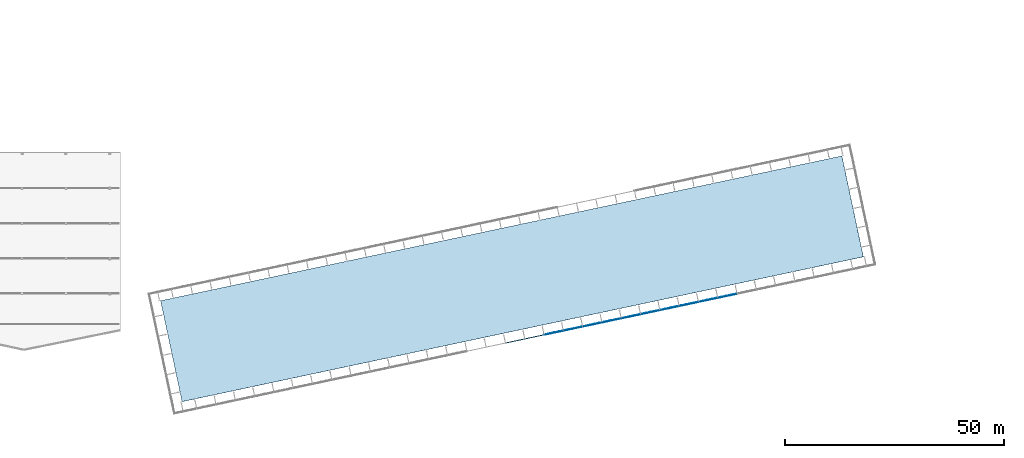
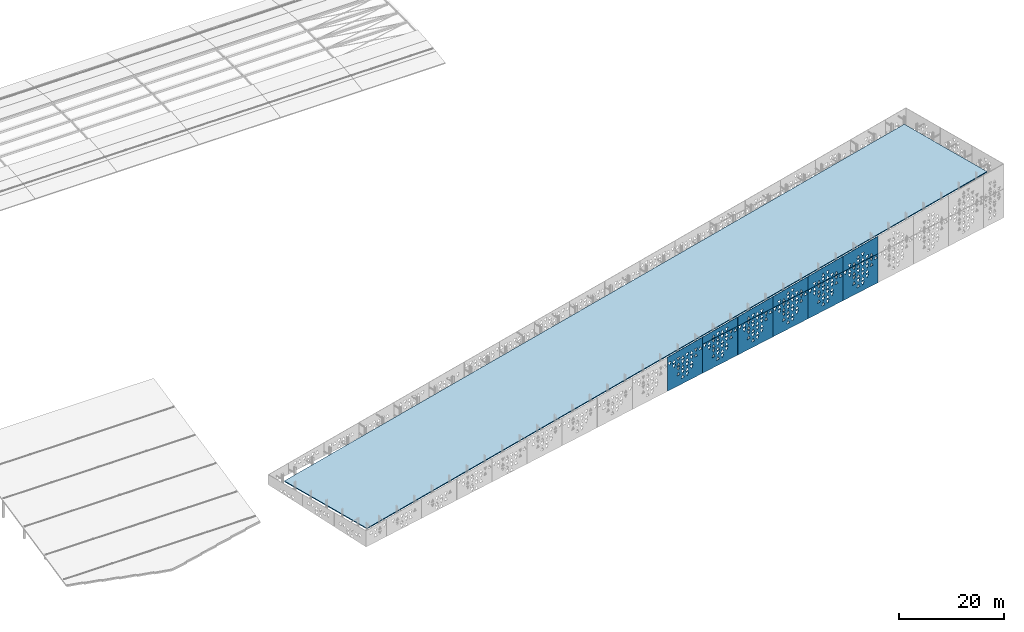
# One storey, part 25 of 41: 11 plates, 1 slab.
"""IFC4 building model written with IfcOpenShell, lengths in metres."""

from ifc_helpers import new_model, si_unit, direction, frame, origin, place, context, subcontext, project, spatial, polyline, outline, extrude, material, layer, layer_set, type_object, element, save


model = new_model("IFC4")

# Units and contexts
model_context = context("Model", 3, precision=1e-05, world=origin(), true_north=direction((0.0, 1.0)))
body_context = subcontext(model_context, "Body", "Model", "MODEL_VIEW")
ifc_project = project(units=[si_unit("LENGTHUNIT", "METRE"), si_unit("AREAUNIT", "SQUARE_METRE"), si_unit("VOLUMEUNIT", "CUBIC_METRE"), si_unit("PLANEANGLEUNIT", "RADIAN"), si_unit("MASSUNIT", "GRAM", prefix="KILO")], contexts=[model_context])

# Site, building, storey
site_placement = place(None, origin())
site = spatial("IfcSite", under=ifc_project, at=site_placement, CompositionType="ELEMENT")
building_placement = place(site_placement, origin())
building = spatial("IfcBuilding", under=site, at=building_placement, Name="Okhra Congress Centre", CompositionType="ELEMENT")
storey_placement = place(building_placement, frame((0.0, 0.0, 21.60009765625)))
storey = spatial("IfcBuildingStorey", under=building, at=storey_placement, Name="ROOF", CompositionType="ELEMENT", Elevation=21.60009765625)

# Slab
ifc_material_1 = material(Name="Insulated metal roof panel (mineral wool core), standing seam")
ifc_layer_1 = layer(ifc_material_1, 0.199951171875)
ifc_layer_set_1 = layer_set([ifc_layer_1], Name="Insulated roof panel 200")
slab_type = type_object("IfcSlabType", Name="Insulated roof panel 200", PredefinedType="ROOF", material=ifc_layer_set_1)
slab_placement = place(storey_placement, frame((62.480224609375, 27.3515625, 2.291015625), z_axis=(-0.063054790388, 0.040023302366, 0.997207214513), x_axis=(0.976750581341, 0.207614271144, 0.053428609062)))
element("IfcSlab", 1, at=slab_placement, inside=storey, type_object=slab_type, Name="Roof deck", PredefinedType="ROOF", context=body_context, shape_type="SweptSolid", body=[
    extrude(outline(polyline([(0.0, 0.0), (159.12735282075477, 1.3322676295501878e-15), (159.0614872928404, 23.582230180782588), (-0.0658655279143475, 23.582230180782584), (0.0, 0.0)])), origin(), (0.0, 0.0, -1.0), 0.199951171875),
])

# Plates
ifc_material_2 = material(Name="Fired clay terracotta rainscreen panel, deep oxide-red glaze, non-combustible", Category="masonry")
ifc_layer_2 = layer(ifc_material_2, 0.080078125)
ifc_layer_set_2 = layer_set([ifc_layer_2], Name="Terracotta screen panel 8980 sloped top")
plate_type_1 = type_object("IfcPlateType", Name="Terracotta screen panel 8980 sloped top", PredefinedType="SHEET", material=ifc_layer_set_2)
plate_1_placement = place(storey_placement, frame((136.27001953125, 40.73583984375, 0.2099609375), z_axis=(0.0, 0.0, 1.0), x_axis=(0.978150766104, 0.207896798366, 0.0)))
element("IfcPlate", 2, at=plate_1_placement, inside=storey, type_object=plate_type_1, Name="Screen panel S10 Parapet", PredefinedType="SHEET", context=body_context, shape_type="SweptSolid", body=[
    extrude(outline(polyline([(0.0, 0.0), (8.97998046875, 0.0), (8.97998046875, 8.39013671875), (0.0, 7.90966796875), (0.0, 0.0)]), holes=[polyline([(3.536376953125, 1.303955078125), (4.3037109375, 1.303955078125), (3.919921875, 2.05615234375), (3.536376953125, 1.303955078125)]), polyline([(4.656494140625, 2.05615234375), (5.0400390625, 1.303955078125), (5.423583984375, 2.05615234375), (4.656494140625, 2.05615234375)]), polyline([(2.41650390625, 2.423828125), (3.18359375, 2.423828125), (2.800048828125, 3.176025390625), (2.41650390625, 2.423828125)]), polyline([(3.536376953125, 3.176025390625), (3.919921875, 2.423828125), (4.3037109375, 3.176025390625), (3.536376953125, 3.176025390625)]), polyline([(4.656494140625, 2.423828125), (5.423583984375, 2.423828125), (5.0400390625, 3.176025390625), (4.656494140625, 2.423828125)]), polyline([(5.7763671875, 3.176025390625), (6.159912109375, 2.423828125), (6.543701171875, 3.176025390625), (5.7763671875, 3.176025390625)]), polyline([(2.41650390625, 4.296142578125), (2.800048828125, 3.5439453125), (3.18359375, 4.296142578125), (2.41650390625, 4.296142578125)]), polyline([(3.536376953125, 3.5439453125), (4.3037109375, 3.5439453125), (3.919921875, 4.296142578125), (3.536376953125, 3.5439453125)]), polyline([(4.656494140625, 4.296142578125), (5.0400390625, 3.5439453125), (5.423583984375, 4.296142578125), (4.656494140625, 4.296142578125)]), polyline([(5.7763671875, 3.5439453125), (6.543701171875, 3.5439453125), (6.159912109375, 4.296142578125), (5.7763671875, 3.5439453125)]), polyline([(1.29638671875, 5.416015625), (1.679931640625, 4.663818359375), (2.0634765625, 5.416015625), (1.29638671875, 5.416015625)]), polyline([(2.41650390625, 4.663818359375), (3.18359375, 4.663818359375), (2.800048828125, 5.416015625), (2.41650390625, 4.663818359375)]), polyline([(3.536376953125, 5.416015625), (3.919921875, 4.663818359375), (4.3037109375, 5.416015625), (3.536376953125, 5.416015625)]), polyline([(4.656494140625, 4.663818359375), (5.423583984375, 4.663818359375), (5.0400390625, 5.416015625), (4.656494140625, 4.663818359375)]), polyline([(5.7763671875, 5.416015625), (6.159912109375, 4.663818359375), (6.543701171875, 5.416015625), (5.7763671875, 5.416015625)]), polyline([(6.896484375, 4.663818359375), (7.66357421875, 4.663818359375), (7.280029296875, 5.416015625), (6.896484375, 4.663818359375)]), polyline([(0.176513671875, 6.5361328125), (0.56005859375, 5.783935546875), (0.943603515625, 6.5361328125), (0.176513671875, 6.5361328125)]), polyline([(1.29638671875, 5.783935546875), (2.0634765625, 5.783935546875), (1.679931640625, 6.5361328125), (1.29638671875, 5.783935546875)]), polyline([(2.41650390625, 6.5361328125), (2.800048828125, 5.783935546875), (3.18359375, 6.5361328125), (2.41650390625, 6.5361328125)]), polyline([(3.536376953125, 5.783935546875), (4.3037109375, 5.783935546875), (3.919921875, 6.5361328125), (3.536376953125, 5.783935546875)]), polyline([(4.656494140625, 6.5361328125), (5.0400390625, 5.783935546875), (5.423583984375, 6.5361328125), (4.656494140625, 6.5361328125)]), polyline([(5.7763671875, 5.783935546875), (6.543701171875, 5.783935546875), (6.159912109375, 6.5361328125), (5.7763671875, 5.783935546875)]), polyline([(6.896484375, 6.5361328125), (7.280029296875, 5.783935546875), (7.66357421875, 6.5361328125), (6.896484375, 6.5361328125)]), polyline([(8.016357421875, 5.783935546875), (8.78369140625, 5.783935546875), (8.39990234375, 6.5361328125), (8.016357421875, 5.783935546875)])]), frame((0.0, 0.0400390625, 0.0), z_axis=(0.0, -1.0, 0.0), x_axis=(1.0, 0.0, 0.0)), (0.0, 0.0, 1.0), 0.080078125),
])
plate_2_placement = place(storey_placement, frame((145.073486328125, 42.60693359375, 6.949951171875), z_axis=(0.0, 0.0, 1.0), x_axis=(0.978144061878, 0.207928339131, 0.0)))
element("IfcPlate", 3, at=plate_2_placement, inside=storey, type_object=plate_type_1, Name="Screen panel S11 Parapet", PredefinedType="SHEET", context=body_context, shape_type="SweptSolid", body=[
    extrude(outline(polyline([(0.0, 0.0), (8.97998046875, 0.0), (8.97998046875, 2.1318359375), (0.0, 1.6513671875), (0.0, 0.0)]), holes=[polyline([(2.41650390625, 0.183837890625), (3.18359375, 0.183837890625), (2.800048828125, 0.93603515625), (2.41650390625, 0.183837890625)]), polyline([(3.536376953125, 0.93603515625), (3.919921875, 0.183837890625), (4.3037109375, 0.93603515625), (3.536376953125, 0.93603515625)]), polyline([(4.656494140625, 0.183837890625), (5.423583984375, 0.183837890625), (5.0400390625, 0.93603515625), (4.656494140625, 0.183837890625)]), polyline([(5.7763671875, 0.93603515625), (6.159912109375, 0.183837890625), (6.543701171875, 0.93603515625), (5.7763671875, 0.93603515625)])]), frame((0.0, 0.0400390625, 0.0), z_axis=(0.0, -1.0, 0.0), x_axis=(1.0, 0.0, 0.0)), (0.0, 0.0, 1.0), 0.080078125),
])
plate_3_placement = place(storey_placement, frame((153.876708984375, 44.478271484375, 6.949951171875), z_axis=(0.0, 0.0, 1.0), x_axis=(0.978149591018, 0.207902327047, 0.0)))
element("IfcPlate", 4, at=plate_3_placement, inside=storey, type_object=plate_type_1, Name="Screen panel S12 Parapet", PredefinedType="SHEET", context=body_context, shape_type="SweptSolid", body=[
    extrude(outline(polyline([(0.0, 0.0), (8.97998046875, 0.0), (8.97998046875, 2.61328125), (0.0, 2.1328125), (0.0, 0.0)]), holes=[polyline([(2.41650390625, 0.183837890625), (3.18359375, 0.183837890625), (2.800048828125, 0.93603515625), (2.41650390625, 0.183837890625)]), polyline([(3.536376953125, 0.93603515625), (3.919921875, 0.183837890625), (4.3037109375, 0.93603515625), (3.536376953125, 0.93603515625)]), polyline([(4.656494140625, 0.183837890625), (5.423583984375, 0.183837890625), (5.0400390625, 0.93603515625), (4.656494140625, 0.183837890625)]), polyline([(5.7763671875, 0.93603515625), (6.159912109375, 0.183837890625), (6.543701171875, 0.93603515625), (5.7763671875, 0.93603515625)])]), frame((0.0, 0.0400390625, 0.0), z_axis=(0.0, -1.0, 0.0), x_axis=(1.0, 0.0, 0.0)), (0.0, 0.0, 1.0), 0.080078125),
])
plate_4_placement = place(storey_placement, frame((162.68017578125, 46.349365234375, 6.949951171875), z_axis=(0.0, 0.0, 1.0), x_axis=(0.978144061878, 0.207928339131, 0.0)))
element("IfcPlate", 5, at=plate_4_placement, inside=storey, type_object=plate_type_1, Name="Screen panel S13 Parapet", PredefinedType="SHEET", context=body_context, shape_type="SweptSolid", body=[
    extrude(outline(polyline([(0.0, 0.0), (8.97998046875, 0.0), (8.97998046875, 3.094970703125), (0.0, 2.614501953125), (0.0, 0.0)]), holes=[polyline([(1.29638671875, 0.93603515625), (1.679931640625, 0.183837890625), (2.0634765625, 0.93603515625), (1.29638671875, 0.93603515625)]), polyline([(2.41650390625, 0.183837890625), (3.18359375, 0.183837890625), (2.800048828125, 0.93603515625), (2.41650390625, 0.183837890625)]), polyline([(3.536376953125, 0.93603515625), (3.919921875, 0.183837890625), (4.3037109375, 0.93603515625), (3.536376953125, 0.93603515625)]), polyline([(4.656494140625, 0.183837890625), (5.423583984375, 0.183837890625), (5.0400390625, 0.93603515625), (4.656494140625, 0.183837890625)]), polyline([(5.7763671875, 0.93603515625), (6.159912109375, 0.183837890625), (6.543701171875, 0.93603515625), (5.7763671875, 0.93603515625)]), polyline([(6.896484375, 0.183837890625), (7.66357421875, 0.183837890625), (7.280029296875, 0.93603515625), (6.896484375, 0.183837890625)]), polyline([(3.536376953125, 1.303955078125), (4.3037109375, 1.303955078125), (3.919921875, 2.05615234375), (3.536376953125, 1.303955078125)]), polyline([(4.656494140625, 2.05615234375), (5.0400390625, 1.303955078125), (5.423583984375, 2.05615234375), (4.656494140625, 2.05615234375)])]), frame((0.0, 0.0400390625, 0.0), z_axis=(0.0, -1.0, 0.0), x_axis=(1.0, 0.0, 0.0)), (0.0, 0.0, 1.0), 0.080078125),
])
plate_5_placement = place(storey_placement, frame((171.4833984375, 48.220703125, 6.949951171875), z_axis=(0.0, 0.0, 1.0), x_axis=(0.978149591018, 0.207902327047, 0.0)))
element("IfcPlate", 6, at=plate_5_placement, inside=storey, type_object=plate_type_1, Name="Screen panel S14 Parapet", PredefinedType="SHEET", context=body_context, shape_type="SweptSolid", body=[
    extrude(outline(polyline([(0.0, 0.0), (8.97998046875, 0.0), (8.97998046875, 3.576416015625), (0.0, 3.095947265625), (0.0, 0.0)]), holes=[polyline([(1.29638671875, 0.93603515625), (1.679931640625, 0.183837890625), (2.0634765625, 0.93603515625), (1.29638671875, 0.93603515625)]), polyline([(2.41650390625, 0.183837890625), (3.18359375, 0.183837890625), (2.800048828125, 0.93603515625), (2.41650390625, 0.183837890625)]), polyline([(3.536376953125, 0.93603515625), (3.919921875, 0.183837890625), (4.3037109375, 0.93603515625), (3.536376953125, 0.93603515625)]), polyline([(4.656494140625, 0.183837890625), (5.423583984375, 0.183837890625), (5.0400390625, 0.93603515625), (4.656494140625, 0.183837890625)]), polyline([(5.7763671875, 0.93603515625), (6.159912109375, 0.183837890625), (6.543701171875, 0.93603515625), (5.7763671875, 0.93603515625)]), polyline([(6.896484375, 0.183837890625), (7.66357421875, 0.183837890625), (7.280029296875, 0.93603515625), (6.896484375, 0.183837890625)]), polyline([(3.536376953125, 1.303955078125), (4.3037109375, 1.303955078125), (3.919921875, 2.05615234375), (3.536376953125, 1.303955078125)]), polyline([(4.656494140625, 2.05615234375), (5.0400390625, 1.303955078125), (5.423583984375, 2.05615234375), (4.656494140625, 2.05615234375)])]), frame((0.0, 0.0400390625, 0.0), z_axis=(0.0, -1.0, 0.0), x_axis=(1.0, 0.0, 0.0)), (0.0, 0.0, 1.0), 0.080078125),
])
plate_6_placement = place(storey_placement, frame((180.28662109375, 50.091796875, 6.949951171875), z_axis=(0.0, 0.0, 1.0), x_axis=(0.978145237251, 0.207922809819, 0.0)))
element("IfcPlate", 7, at=plate_6_placement, inside=storey, type_object=plate_type_1, Name="Screen panel S15 Parapet", PredefinedType="SHEET", context=body_context, shape_type="SweptSolid", body=[
    extrude(outline(polyline([(0.0, 0.0), (8.97998046875, 0.0), (8.97998046875, 4.057861328125), (0.0, 3.577392578125), (0.0, 0.0)]), holes=[polyline([(1.29638671875, 0.93603515625), (1.679931640625, 0.183837890625), (2.0634765625, 0.93603515625), (1.29638671875, 0.93603515625)]), polyline([(2.41650390625, 0.183837890625), (3.18359375, 0.183837890625), (2.800048828125, 0.93603515625), (2.41650390625, 0.183837890625)]), polyline([(3.536376953125, 0.93603515625), (3.919921875, 0.183837890625), (4.3037109375, 0.93603515625), (3.536376953125, 0.93603515625)]), polyline([(4.656494140625, 0.183837890625), (5.423583984375, 0.183837890625), (5.0400390625, 0.93603515625), (4.656494140625, 0.183837890625)]), polyline([(5.7763671875, 0.93603515625), (6.159912109375, 0.183837890625), (6.543701171875, 0.93603515625), (5.7763671875, 0.93603515625)]), polyline([(6.896484375, 0.183837890625), (7.66357421875, 0.183837890625), (7.280029296875, 0.93603515625), (6.896484375, 0.183837890625)]), polyline([(3.536376953125, 1.303955078125), (4.3037109375, 1.303955078125), (3.919921875, 2.05615234375), (3.536376953125, 1.303955078125)]), polyline([(4.656494140625, 2.05615234375), (5.0400390625, 1.303955078125), (5.423583984375, 2.05615234375), (4.656494140625, 2.05615234375)])]), frame((0.0, 0.0400390625, 0.0), z_axis=(0.0, -1.0, 0.0), x_axis=(1.0, 0.0, 0.0)), (0.0, 0.0, 1.0), 0.080078125),
])
ifc_layer_3 = layer(ifc_material_2, 0.080078125)
ifc_layer_set_3 = layer_set([ifc_layer_3], Name="Terracotta screen panel 8980x6720")
plate_type_2 = type_object("IfcPlateType", Name="Terracotta screen panel 8980x6720", PredefinedType="SHEET", material=ifc_layer_set_3)
plate_7_placement = place(storey_placement, frame((145.073486328125, 42.60693359375, 0.2099609375), z_axis=(0.0, 0.0, 1.0), x_axis=(0.978144061878, 0.207928339131, 0.0)))
element("IfcPlate", 8, at=plate_7_placement, inside=storey, type_object=plate_type_2, Name="Screen panel S11 Tier 3", PredefinedType="SHEET", context=body_context, shape_type="SweptSolid", body=[
    extrude(outline(polyline([(0.0, 0.0), (8.97998046875, 0.0), (8.97998046875, 6.719970703125), (0.0, 6.719970703125), (0.0, 0.0)]), holes=[polyline([(3.536376953125, 1.303955078125), (4.3037109375, 1.303955078125), (3.919921875, 2.05615234375), (3.536376953125, 1.303955078125)]), polyline([(4.656494140625, 2.05615234375), (5.0400390625, 1.303955078125), (5.423583984375, 2.05615234375), (4.656494140625, 2.05615234375)]), polyline([(2.41650390625, 2.423828125), (3.18359375, 2.423828125), (2.800048828125, 3.176025390625), (2.41650390625, 2.423828125)]), polyline([(3.536376953125, 3.176025390625), (3.919921875, 2.423828125), (4.3037109375, 3.176025390625), (3.536376953125, 3.176025390625)]), polyline([(4.656494140625, 2.423828125), (5.423583984375, 2.423828125), (5.0400390625, 3.176025390625), (4.656494140625, 2.423828125)]), polyline([(5.7763671875, 3.176025390625), (6.159912109375, 2.423828125), (6.543701171875, 3.176025390625), (5.7763671875, 3.176025390625)]), polyline([(2.41650390625, 4.296142578125), (2.800048828125, 3.5439453125), (3.18359375, 4.296142578125), (2.41650390625, 4.296142578125)]), polyline([(3.536376953125, 3.5439453125), (4.3037109375, 3.5439453125), (3.919921875, 4.296142578125), (3.536376953125, 3.5439453125)]), polyline([(4.656494140625, 4.296142578125), (5.0400390625, 3.5439453125), (5.423583984375, 4.296142578125), (4.656494140625, 4.296142578125)]), polyline([(5.7763671875, 3.5439453125), (6.543701171875, 3.5439453125), (6.159912109375, 4.296142578125), (5.7763671875, 3.5439453125)]), polyline([(1.29638671875, 5.416015625), (1.679931640625, 4.663818359375), (2.0634765625, 5.416015625), (1.29638671875, 5.416015625)]), polyline([(2.41650390625, 4.663818359375), (3.18359375, 4.663818359375), (2.800048828125, 5.416015625), (2.41650390625, 4.663818359375)]), polyline([(3.536376953125, 5.416015625), (3.919921875, 4.663818359375), (4.3037109375, 5.416015625), (3.536376953125, 5.416015625)]), polyline([(4.656494140625, 4.663818359375), (5.423583984375, 4.663818359375), (5.0400390625, 5.416015625), (4.656494140625, 4.663818359375)]), polyline([(5.7763671875, 5.416015625), (6.159912109375, 4.663818359375), (6.543701171875, 5.416015625), (5.7763671875, 5.416015625)]), polyline([(6.896484375, 4.663818359375), (7.66357421875, 4.663818359375), (7.280029296875, 5.416015625), (6.896484375, 4.663818359375)]), polyline([(0.176513671875, 6.5361328125), (0.56005859375, 5.783935546875), (0.943603515625, 6.5361328125), (0.176513671875, 6.5361328125)]), polyline([(1.29638671875, 5.783935546875), (2.0634765625, 5.783935546875), (1.679931640625, 6.5361328125), (1.29638671875, 5.783935546875)]), polyline([(2.41650390625, 6.5361328125), (2.800048828125, 5.783935546875), (3.18359375, 6.5361328125), (2.41650390625, 6.5361328125)]), polyline([(3.536376953125, 5.783935546875), (4.3037109375, 5.783935546875), (3.919921875, 6.5361328125), (3.536376953125, 5.783935546875)]), polyline([(4.656494140625, 6.5361328125), (5.0400390625, 5.783935546875), (5.423583984375, 6.5361328125), (4.656494140625, 6.5361328125)]), polyline([(5.7763671875, 5.783935546875), (6.543701171875, 5.783935546875), (6.159912109375, 6.5361328125), (5.7763671875, 5.783935546875)]), polyline([(6.896484375, 6.5361328125), (7.280029296875, 5.783935546875), (7.66357421875, 6.5361328125), (6.896484375, 6.5361328125)]), polyline([(8.016357421875, 5.783935546875), (8.78369140625, 5.783935546875), (8.39990234375, 6.5361328125), (8.016357421875, 5.783935546875)])]), frame((0.0, 0.0400390625, 0.0), z_axis=(0.0, -1.0, 0.0), x_axis=(1.0, 0.0, 0.0)), (0.0, 0.0, 1.0), 0.080078125),
])
plate_8_placement = place(storey_placement, frame((153.876708984375, 44.478271484375, 0.2099609375), z_axis=(0.0, 0.0, 1.0), x_axis=(0.978149591018, 0.207902327047, 0.0)))
element("IfcPlate", 9, at=plate_8_placement, inside=storey, type_object=plate_type_2, Name="Screen panel S12 Tier 3", PredefinedType="SHEET", context=body_context, shape_type="SweptSolid", body=[
    extrude(outline(polyline([(0.0, 0.0), (8.97998046875, 0.0), (8.97998046875, 6.719970703125), (0.0, 6.719970703125), (0.0, 0.0)]), holes=[polyline([(3.536376953125, 1.303955078125), (4.3037109375, 1.303955078125), (3.919921875, 2.05615234375), (3.536376953125, 1.303955078125)]), polyline([(4.656494140625, 2.05615234375), (5.0400390625, 1.303955078125), (5.423583984375, 2.05615234375), (4.656494140625, 2.05615234375)]), polyline([(2.41650390625, 2.423828125), (3.18359375, 2.423828125), (2.800048828125, 3.176025390625), (2.41650390625, 2.423828125)]), polyline([(3.536376953125, 3.176025390625), (3.919921875, 2.423828125), (4.3037109375, 3.176025390625), (3.536376953125, 3.176025390625)]), polyline([(4.656494140625, 2.423828125), (5.423583984375, 2.423828125), (5.0400390625, 3.176025390625), (4.656494140625, 2.423828125)]), polyline([(5.7763671875, 3.176025390625), (6.159912109375, 2.423828125), (6.543701171875, 3.176025390625), (5.7763671875, 3.176025390625)]), polyline([(2.41650390625, 4.296142578125), (2.800048828125, 3.5439453125), (3.18359375, 4.296142578125), (2.41650390625, 4.296142578125)]), polyline([(3.536376953125, 3.5439453125), (4.3037109375, 3.5439453125), (3.919921875, 4.296142578125), (3.536376953125, 3.5439453125)]), polyline([(4.656494140625, 4.296142578125), (5.0400390625, 3.5439453125), (5.423583984375, 4.296142578125), (4.656494140625, 4.296142578125)]), polyline([(5.7763671875, 3.5439453125), (6.543701171875, 3.5439453125), (6.159912109375, 4.296142578125), (5.7763671875, 3.5439453125)]), polyline([(1.29638671875, 5.416015625), (1.679931640625, 4.663818359375), (2.0634765625, 5.416015625), (1.29638671875, 5.416015625)]), polyline([(2.41650390625, 4.663818359375), (3.18359375, 4.663818359375), (2.800048828125, 5.416015625), (2.41650390625, 4.663818359375)]), polyline([(3.536376953125, 5.416015625), (3.919921875, 4.663818359375), (4.3037109375, 5.416015625), (3.536376953125, 5.416015625)]), polyline([(4.656494140625, 4.663818359375), (5.423583984375, 4.663818359375), (5.0400390625, 5.416015625), (4.656494140625, 4.663818359375)]), polyline([(5.7763671875, 5.416015625), (6.159912109375, 4.663818359375), (6.543701171875, 5.416015625), (5.7763671875, 5.416015625)]), polyline([(6.896484375, 4.663818359375), (7.66357421875, 4.663818359375), (7.280029296875, 5.416015625), (6.896484375, 4.663818359375)]), polyline([(0.176513671875, 6.5361328125), (0.56005859375, 5.783935546875), (0.943603515625, 6.5361328125), (0.176513671875, 6.5361328125)]), polyline([(1.29638671875, 5.783935546875), (2.0634765625, 5.783935546875), (1.679931640625, 6.5361328125), (1.29638671875, 5.783935546875)]), polyline([(2.41650390625, 6.5361328125), (2.800048828125, 5.783935546875), (3.18359375, 6.5361328125), (2.41650390625, 6.5361328125)]), polyline([(3.536376953125, 5.783935546875), (4.3037109375, 5.783935546875), (3.919921875, 6.5361328125), (3.536376953125, 5.783935546875)]), polyline([(4.656494140625, 6.5361328125), (5.0400390625, 5.783935546875), (5.423583984375, 6.5361328125), (4.656494140625, 6.5361328125)]), polyline([(5.7763671875, 5.783935546875), (6.543701171875, 5.783935546875), (6.159912109375, 6.5361328125), (5.7763671875, 5.783935546875)]), polyline([(6.896484375, 6.5361328125), (7.280029296875, 5.783935546875), (7.66357421875, 6.5361328125), (6.896484375, 6.5361328125)]), polyline([(8.016357421875, 5.783935546875), (8.78369140625, 5.783935546875), (8.39990234375, 6.5361328125), (8.016357421875, 5.783935546875)])]), frame((0.0, 0.0400390625, 0.0), z_axis=(0.0, -1.0, 0.0), x_axis=(1.0, 0.0, 0.0)), (0.0, 0.0, 1.0), 0.080078125),
])
plate_9_placement = place(storey_placement, frame((162.68017578125, 46.349365234375, 0.2099609375), z_axis=(0.0, 0.0, 1.0), x_axis=(0.978144061878, 0.207928339131, 0.0)))
element("IfcPlate", 10, at=plate_9_placement, inside=storey, type_object=plate_type_2, Name="Screen panel S13 Tier 3", PredefinedType="SHEET", context=body_context, shape_type="SweptSolid", body=[
    extrude(outline(polyline([(0.0, 0.0), (8.97998046875, 0.0), (8.97998046875, 6.719970703125), (0.0, 6.719970703125), (0.0, 0.0)]), holes=[polyline([(3.536376953125, 1.303955078125), (4.3037109375, 1.303955078125), (3.919921875, 2.05615234375), (3.536376953125, 1.303955078125)]), polyline([(4.656494140625, 2.05615234375), (5.0400390625, 1.303955078125), (5.423583984375, 2.05615234375), (4.656494140625, 2.05615234375)]), polyline([(2.41650390625, 2.423828125), (3.18359375, 2.423828125), (2.800048828125, 3.176025390625), (2.41650390625, 2.423828125)]), polyline([(3.536376953125, 3.176025390625), (3.919921875, 2.423828125), (4.3037109375, 3.176025390625), (3.536376953125, 3.176025390625)]), polyline([(4.656494140625, 2.423828125), (5.423583984375, 2.423828125), (5.0400390625, 3.176025390625), (4.656494140625, 2.423828125)]), polyline([(5.7763671875, 3.176025390625), (6.159912109375, 2.423828125), (6.543701171875, 3.176025390625), (5.7763671875, 3.176025390625)]), polyline([(2.41650390625, 4.296142578125), (2.800048828125, 3.5439453125), (3.18359375, 4.296142578125), (2.41650390625, 4.296142578125)]), polyline([(3.536376953125, 3.5439453125), (4.3037109375, 3.5439453125), (3.919921875, 4.296142578125), (3.536376953125, 3.5439453125)]), polyline([(4.656494140625, 4.296142578125), (5.0400390625, 3.5439453125), (5.423583984375, 4.296142578125), (4.656494140625, 4.296142578125)]), polyline([(5.7763671875, 3.5439453125), (6.543701171875, 3.5439453125), (6.159912109375, 4.296142578125), (5.7763671875, 3.5439453125)]), polyline([(1.29638671875, 5.416015625), (1.679931640625, 4.663818359375), (2.0634765625, 5.416015625), (1.29638671875, 5.416015625)]), polyline([(2.41650390625, 4.663818359375), (3.18359375, 4.663818359375), (2.800048828125, 5.416015625), (2.41650390625, 4.663818359375)]), polyline([(3.536376953125, 5.416015625), (3.919921875, 4.663818359375), (4.3037109375, 5.416015625), (3.536376953125, 5.416015625)]), polyline([(4.656494140625, 4.663818359375), (5.423583984375, 4.663818359375), (5.0400390625, 5.416015625), (4.656494140625, 4.663818359375)]), polyline([(5.7763671875, 5.416015625), (6.159912109375, 4.663818359375), (6.543701171875, 5.416015625), (5.7763671875, 5.416015625)]), polyline([(6.896484375, 4.663818359375), (7.66357421875, 4.663818359375), (7.280029296875, 5.416015625), (6.896484375, 4.663818359375)]), polyline([(0.176513671875, 6.5361328125), (0.56005859375, 5.783935546875), (0.943603515625, 6.5361328125), (0.176513671875, 6.5361328125)]), polyline([(1.29638671875, 5.783935546875), (2.0634765625, 5.783935546875), (1.679931640625, 6.5361328125), (1.29638671875, 5.783935546875)]), polyline([(2.41650390625, 6.5361328125), (2.800048828125, 5.783935546875), (3.18359375, 6.5361328125), (2.41650390625, 6.5361328125)]), polyline([(3.536376953125, 5.783935546875), (4.3037109375, 5.783935546875), (3.919921875, 6.5361328125), (3.536376953125, 5.783935546875)]), polyline([(4.656494140625, 6.5361328125), (5.0400390625, 5.783935546875), (5.423583984375, 6.5361328125), (4.656494140625, 6.5361328125)]), polyline([(5.7763671875, 5.783935546875), (6.543701171875, 5.783935546875), (6.159912109375, 6.5361328125), (5.7763671875, 5.783935546875)]), polyline([(6.896484375, 6.5361328125), (7.280029296875, 5.783935546875), (7.66357421875, 6.5361328125), (6.896484375, 6.5361328125)]), polyline([(8.016357421875, 5.783935546875), (8.78369140625, 5.783935546875), (8.39990234375, 6.5361328125), (8.016357421875, 5.783935546875)])]), frame((0.0, 0.0400390625, 0.0), z_axis=(0.0, -1.0, 0.0), x_axis=(1.0, 0.0, 0.0)), (0.0, 0.0, 1.0), 0.080078125),
])
plate_10_placement = place(storey_placement, frame((171.4833984375, 48.220703125, 0.2099609375), z_axis=(0.0, 0.0, 1.0), x_axis=(0.978149591018, 0.207902327047, 0.0)))
element("IfcPlate", 11, at=plate_10_placement, inside=storey, type_object=plate_type_2, Name="Screen panel S14 Tier 3", PredefinedType="SHEET", context=body_context, shape_type="SweptSolid", body=[
    extrude(outline(polyline([(0.0, 0.0), (8.97998046875, 0.0), (8.97998046875, 6.719970703125), (0.0, 6.719970703125), (0.0, 0.0)]), holes=[polyline([(3.536376953125, 1.303955078125), (4.3037109375, 1.303955078125), (3.919921875, 2.05615234375), (3.536376953125, 1.303955078125)]), polyline([(4.656494140625, 2.05615234375), (5.0400390625, 1.303955078125), (5.423583984375, 2.05615234375), (4.656494140625, 2.05615234375)]), polyline([(2.41650390625, 2.423828125), (3.18359375, 2.423828125), (2.800048828125, 3.176025390625), (2.41650390625, 2.423828125)]), polyline([(3.536376953125, 3.176025390625), (3.919921875, 2.423828125), (4.3037109375, 3.176025390625), (3.536376953125, 3.176025390625)]), polyline([(4.656494140625, 2.423828125), (5.423583984375, 2.423828125), (5.0400390625, 3.176025390625), (4.656494140625, 2.423828125)]), polyline([(5.7763671875, 3.176025390625), (6.159912109375, 2.423828125), (6.543701171875, 3.176025390625), (5.7763671875, 3.176025390625)]), polyline([(2.41650390625, 4.296142578125), (2.800048828125, 3.5439453125), (3.18359375, 4.296142578125), (2.41650390625, 4.296142578125)]), polyline([(3.536376953125, 3.5439453125), (4.3037109375, 3.5439453125), (3.919921875, 4.296142578125), (3.536376953125, 3.5439453125)]), polyline([(4.656494140625, 4.296142578125), (5.0400390625, 3.5439453125), (5.423583984375, 4.296142578125), (4.656494140625, 4.296142578125)]), polyline([(5.7763671875, 3.5439453125), (6.543701171875, 3.5439453125), (6.159912109375, 4.296142578125), (5.7763671875, 3.5439453125)]), polyline([(1.29638671875, 5.416015625), (1.679931640625, 4.663818359375), (2.0634765625, 5.416015625), (1.29638671875, 5.416015625)]), polyline([(2.41650390625, 4.663818359375), (3.18359375, 4.663818359375), (2.800048828125, 5.416015625), (2.41650390625, 4.663818359375)]), polyline([(3.536376953125, 5.416015625), (3.919921875, 4.663818359375), (4.3037109375, 5.416015625), (3.536376953125, 5.416015625)]), polyline([(4.656494140625, 4.663818359375), (5.423583984375, 4.663818359375), (5.0400390625, 5.416015625), (4.656494140625, 4.663818359375)]), polyline([(5.7763671875, 5.416015625), (6.159912109375, 4.663818359375), (6.543701171875, 5.416015625), (5.7763671875, 5.416015625)]), polyline([(6.896484375, 4.663818359375), (7.66357421875, 4.663818359375), (7.280029296875, 5.416015625), (6.896484375, 4.663818359375)]), polyline([(0.176513671875, 6.5361328125), (0.56005859375, 5.783935546875), (0.943603515625, 6.5361328125), (0.176513671875, 6.5361328125)]), polyline([(1.29638671875, 5.783935546875), (2.0634765625, 5.783935546875), (1.679931640625, 6.5361328125), (1.29638671875, 5.783935546875)]), polyline([(2.41650390625, 6.5361328125), (2.800048828125, 5.783935546875), (3.18359375, 6.5361328125), (2.41650390625, 6.5361328125)]), polyline([(3.536376953125, 5.783935546875), (4.3037109375, 5.783935546875), (3.919921875, 6.5361328125), (3.536376953125, 5.783935546875)]), polyline([(4.656494140625, 6.5361328125), (5.0400390625, 5.783935546875), (5.423583984375, 6.5361328125), (4.656494140625, 6.5361328125)]), polyline([(5.7763671875, 5.783935546875), (6.543701171875, 5.783935546875), (6.159912109375, 6.5361328125), (5.7763671875, 5.783935546875)]), polyline([(6.896484375, 6.5361328125), (7.280029296875, 5.783935546875), (7.66357421875, 6.5361328125), (6.896484375, 6.5361328125)]), polyline([(8.016357421875, 5.783935546875), (8.78369140625, 5.783935546875), (8.39990234375, 6.5361328125), (8.016357421875, 5.783935546875)])]), frame((0.0, 0.0400390625, 0.0), z_axis=(0.0, -1.0, 0.0), x_axis=(1.0, 0.0, 0.0)), (0.0, 0.0, 1.0), 0.080078125),
])
plate_11_placement = place(storey_placement, frame((180.28662109375, 50.091796875, 0.2099609375), z_axis=(0.0, 0.0, 1.0), x_axis=(0.978145237251, 0.207922809819, 0.0)))
element("IfcPlate", 12, at=plate_11_placement, inside=storey, type_object=plate_type_2, Name="Screen panel S15 Tier 3", PredefinedType="SHEET", context=body_context, shape_type="SweptSolid", body=[
    extrude(outline(polyline([(0.0, 0.0), (8.980224609375, 0.0), (8.980224609375, 6.719970703125), (0.0, 6.719970703125), (0.0, 0.0)]), holes=[polyline([(3.536376953125, 1.303955078125), (4.3037109375, 1.303955078125), (3.919921875, 2.05615234375), (3.536376953125, 1.303955078125)]), polyline([(4.656494140625, 2.05615234375), (5.0400390625, 1.303955078125), (5.423583984375, 2.05615234375), (4.656494140625, 2.05615234375)]), polyline([(2.41650390625, 2.423828125), (3.18359375, 2.423828125), (2.800048828125, 3.176025390625), (2.41650390625, 2.423828125)]), polyline([(3.536376953125, 3.176025390625), (3.919921875, 2.423828125), (4.3037109375, 3.176025390625), (3.536376953125, 3.176025390625)]), polyline([(4.656494140625, 2.423828125), (5.423583984375, 2.423828125), (5.0400390625, 3.176025390625), (4.656494140625, 2.423828125)]), polyline([(5.7763671875, 3.176025390625), (6.159912109375, 2.423828125), (6.543701171875, 3.176025390625), (5.7763671875, 3.176025390625)]), polyline([(2.41650390625, 4.296142578125), (2.800048828125, 3.5439453125), (3.18359375, 4.296142578125), (2.41650390625, 4.296142578125)]), polyline([(3.536376953125, 3.5439453125), (4.3037109375, 3.5439453125), (3.919921875, 4.296142578125), (3.536376953125, 3.5439453125)]), polyline([(4.656494140625, 4.296142578125), (5.0400390625, 3.5439453125), (5.423583984375, 4.296142578125), (4.656494140625, 4.296142578125)]), polyline([(5.7763671875, 3.5439453125), (6.543701171875, 3.5439453125), (6.159912109375, 4.296142578125), (5.7763671875, 3.5439453125)]), polyline([(1.29638671875, 5.416015625), (1.679931640625, 4.663818359375), (2.0634765625, 5.416015625), (1.29638671875, 5.416015625)]), polyline([(2.41650390625, 4.663818359375), (3.18359375, 4.663818359375), (2.800048828125, 5.416015625), (2.41650390625, 4.663818359375)]), polyline([(3.536376953125, 5.416015625), (3.919921875, 4.663818359375), (4.3037109375, 5.416015625), (3.536376953125, 5.416015625)]), polyline([(4.656494140625, 4.663818359375), (5.423583984375, 4.663818359375), (5.0400390625, 5.416015625), (4.656494140625, 4.663818359375)]), polyline([(5.7763671875, 5.416015625), (6.159912109375, 4.663818359375), (6.543701171875, 5.416015625), (5.7763671875, 5.416015625)]), polyline([(6.896484375, 4.663818359375), (7.66357421875, 4.663818359375), (7.280029296875, 5.416015625), (6.896484375, 4.663818359375)]), polyline([(0.176513671875, 6.5361328125), (0.56005859375, 5.783935546875), (0.943603515625, 6.5361328125), (0.176513671875, 6.5361328125)]), polyline([(1.29638671875, 5.783935546875), (2.0634765625, 5.783935546875), (1.679931640625, 6.5361328125), (1.29638671875, 5.783935546875)]), polyline([(2.41650390625, 6.5361328125), (2.800048828125, 5.783935546875), (3.18359375, 6.5361328125), (2.41650390625, 6.5361328125)]), polyline([(3.536376953125, 5.783935546875), (4.3037109375, 5.783935546875), (3.919921875, 6.5361328125), (3.536376953125, 5.783935546875)]), polyline([(4.656494140625, 6.5361328125), (5.0400390625, 5.783935546875), (5.423583984375, 6.5361328125), (4.656494140625, 6.5361328125)]), polyline([(5.7763671875, 5.783935546875), (6.543701171875, 5.783935546875), (6.159912109375, 6.5361328125), (5.7763671875, 5.783935546875)]), polyline([(6.896484375, 6.5361328125), (7.280029296875, 5.783935546875), (7.66357421875, 6.5361328125), (6.896484375, 6.5361328125)]), polyline([(8.016357421875, 5.783935546875), (8.78369140625, 5.783935546875), (8.39990234375, 6.5361328125), (8.016357421875, 5.783935546875)])]), frame((0.0, 0.0400390625, 0.0), z_axis=(0.0, -1.0, 0.0), x_axis=(1.0, 0.0, 0.0)), (0.0, 0.0, 1.0), 0.080078125),
])

save(model, "model.ifc")
